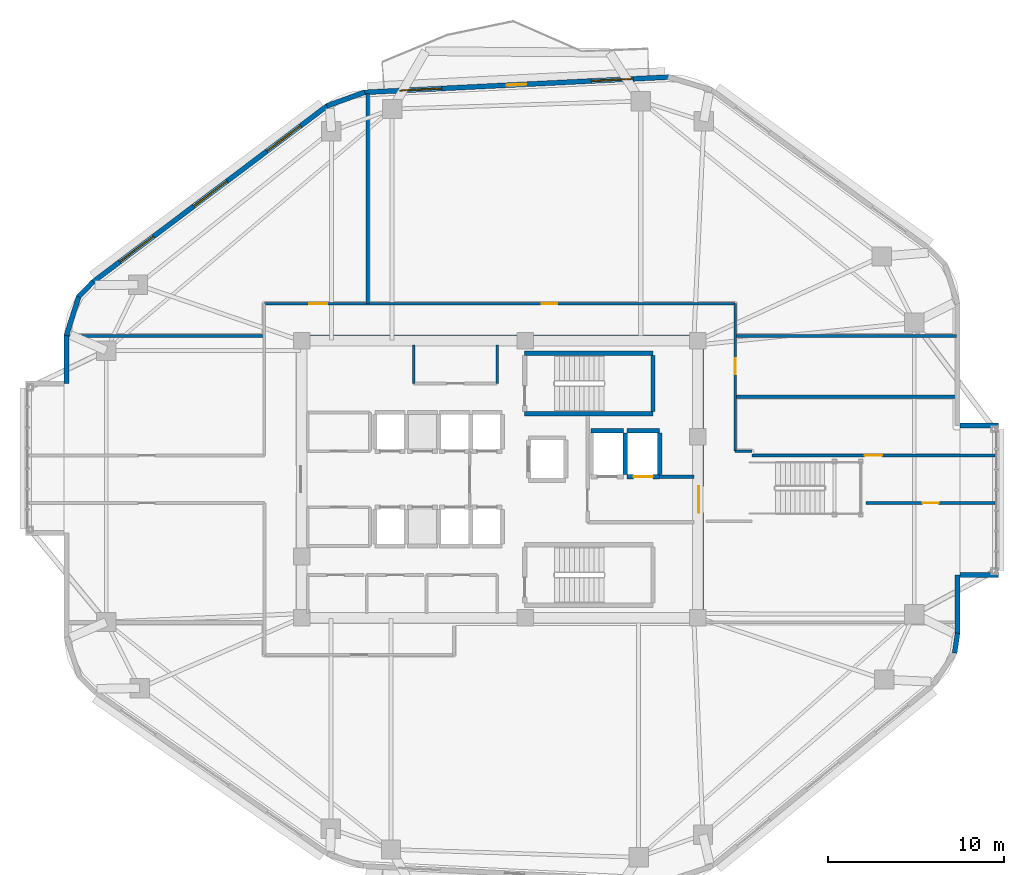
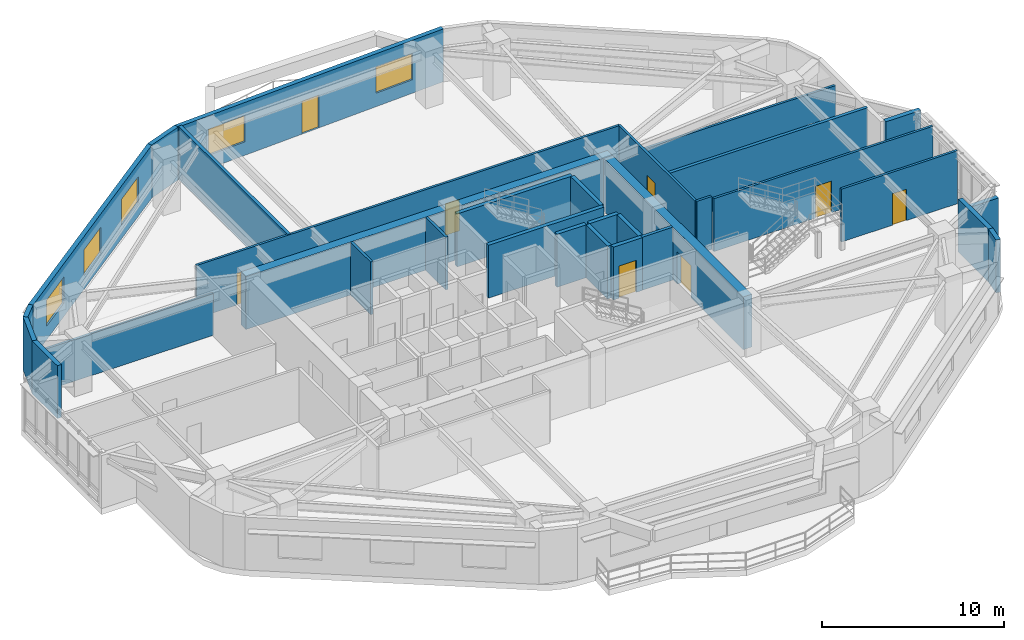
# One storey, part 11 of 16: 32 walls, 8 doors, 5 windows, 13 openings.
"""IFC4 building model written with IfcOpenShell, lengths in metres."""

from ifc_helpers import new_model, si_unit, direction, frame, frame_2d, origin, place, context, subcontext, project, spatial, rectangle, extrude, material, layer, layer_set, type_object, element, fill, save


model = new_model("IFC4")

# Units and contexts
model_context = context("Model", 3, precision=1e-05, world=origin(), true_north=direction((0.0, 1.0)))
body_context = subcontext(model_context, "Body", "Model", "MODEL_VIEW")
ifc_project = project(units=[si_unit("LENGTHUNIT", "METRE"), si_unit("AREAUNIT", "SQUARE_METRE"), si_unit("VOLUMEUNIT", "CUBIC_METRE"), si_unit("PLANEANGLEUNIT", "RADIAN"), si_unit("MASSUNIT", "GRAM", prefix="KILO")], contexts=[model_context])

# Site, building, storey
site_placement = place(None, origin())
site = spatial("IfcSite", under=ifc_project, at=site_placement, CompositionType="ELEMENT")
building_placement = place(site_placement, origin())
building = spatial("IfcBuilding", under=site, at=building_placement, Name="Zulverin Broadcast Headquarters", CompositionType="ELEMENT")
storey_placement = place(building_placement, frame((0.0, 0.0, 125.0)))
storey = spatial("IfcBuildingStorey", under=building, at=storey_placement, Name="L31", CompositionType="ELEMENT", Elevation=125.0)

# Walls
ifc_material_1 = material(Name="Acoustic drywall steel stud", Category="steel")
ifc_layer_1 = layer(ifc_material_1, 0.199951171875, Name="Acoustic drywall steel stud", Category="steel")
ifc_layer_set_1 = layer_set([ifc_layer_1], Name="Acoustic drywall steel stud")
wall_type_1 = type_object("IfcWallType", Name="WL-ACOU-200", PredefinedType="PARTITIONING", material=ifc_layer_set_1)
wall_1_placement = place(storey_placement, frame((29.5, 35.199951171875, 0.0), z_axis=(0.0, 0.0, 1.0), x_axis=(0.0, 1.0, 0.0)))
element("IfcWall", 1, at=wall_1_placement, inside=storey, type_object=wall_type_1, Name="L31 Room Partition Wall RP-03", PredefinedType="PARTITIONING", context=body_context, shape_type="SweptSolid", body=[
    extrude(rectangle(XDim=11.966796875, YDim=0.199951171875, at=frame_2d((5.9833984375, 0.0))), origin(), (0.0, 0.0, 1.0), 3.5400390625),
])
wall_2_placement = place(storey_placement, frame((50.39990234375, 29.89990234375, 0.0), z_axis=(0.0, 0.0, 1.0), x_axis=(1.0, 0.0, 0.0)))
element("IfcWall", 2, at=wall_2_placement, inside=storey, type_object=wall_type_1, Name="L31 Room Partition Wall RP-15", PredefinedType="PARTITIONING", context=body_context, shape_type="SweptSolid", body=[
    extrude(rectangle(XDim=12.59521484375, YDim=0.199951171875, at=frame_2d((6.297607421875, 0.0))), origin(), (0.0, 0.0, 1.0), 3.5400390625),
])
ifc_material_2 = material(Name="Concrete C60/75", Category="concrete")
ifc_layer_2 = layer(ifc_material_2, 0.550048828125, Name="Concrete C60/75", Category="concrete")
ifc_layer_set_2 = layer_set([ifc_layer_2], Name="Concrete C60/75")
wall_type_2 = type_object("IfcWallType", Name="WL-CORE-550", PredefinedType="SHEAR", material=ifc_layer_set_2)
wall_3_placement = place(storey_placement, frame((25.39990234375, 33.125, 0.0), z_axis=(0.0, 0.0, 1.0), x_axis=(1.0, 0.0, 0.0)))
element("IfcWall", 3, at=wall_3_placement, inside=storey, type_object=wall_type_2, Name="L31 Core North Shear Wall", PredefinedType="SHEAR", context=body_context, shape_type="SweptSolid", body=[
    extrude(rectangle(XDim=23.2001953125, YDim=0.550048828125, at=frame_2d((11.60009765625, 0.0))), origin(), (0.0, 0.0, 1.0), 3.5400390625),
])

# Wall, opening, door
wall_4_placement = place(storey_placement, frame((48.324951171875, 17.550048828125, 0.0), z_axis=(0.0, 0.0, 1.0), x_axis=(0.0, 1.0, 0.0)))
wall_4 = element("IfcWall", 4, at=wall_4_placement, inside=storey, type_object=wall_type_2, Name="L31 Core East Shear Wall", PredefinedType="SHEAR", context=body_context, shape_type="SweptSolid", body=[
    extrude(rectangle(XDim=15.300048828125, YDim=0.550048828125, at=frame_2d((7.64990234375, 0.0))), origin(), (0.0, 0.0, 1.0), 3.5400390625),
])
opening_1_placement = place(wall_4_placement, frame((5.75, 0.0, 0.0)))
opening_1 = element("IfcOpeningElement", 5, at=opening_1_placement, cuts=wall_4, Name="Opening D-L31-CE1", PredefinedType="OPENING", context=body_context, shape_type="SweptSolid", body=[
    extrude(rectangle(XDim=1.5, YDim=2.14990234375, at=frame_2d((0.75, 1.074951171875))), frame((0.0, 0.284912109375, 0.0), z_axis=(0.0, -1.0, 0.0), x_axis=(1.0, 0.0, 0.0)), (0.0, 0.0, 1.0), 0.570068359375),
])
ifc_material_3 = material(Name="Fire-rated glazed steel frame", Category="steel")
door_type_1 = type_object("IfcDoorType", Name="DR-COR-1500", OperationType="DOUBLE_DOOR_SINGLE_SWING", PredefinedType="DOOR", material=ifc_material_3)
door_1_placement = place(opening_1_placement, origin())
door_1 = element("IfcDoor", 6, at=door_1_placement, inside=storey, type_object=door_type_1, Name="L31 Firefighting Lobby East Corridor Door", OperationType="DOUBLE_DOOR_SINGLE_SWING", OverallHeight=2.14990234375, OverallWidth=1.5, PredefinedType="DOOR", context=body_context, shape_type="SweptSolid", body=[
    extrude(rectangle(XDim=1.5, YDim=2.14990234375, at=frame_2d((0.75, 1.074951171875))), frame((0.0, 0.02490234375, 0.0), z_axis=(0.0, -1.0, 0.0), x_axis=(1.0, 0.0, 0.0)), (0.0, 0.0, 1.0), 0.050048828125),
])
fill(opening_1, door_1)

# Wall
ifc_material_4 = material(Name="Insulated pale-metal clad concrete spandrel C40/50", Category="concrete")
ifc_layer_3 = layer(ifc_material_4, 0.280029296875, Name="Insulated pale-metal clad concrete spandrel C40/50", Category="concrete")
ifc_layer_set_3 = layer_set([ifc_layer_3], Name="Insulated pale-metal clad concrete spandrel C40/50")
wall_type_3 = type_object("IfcWallType", Name="WL-EXT-280", PredefinedType="STANDARD", material=ifc_layer_set_3)
wall_5_placement = place(storey_placement, frame((63.06005859375, 16.418212890625, 0.0), z_axis=(0.0, 0.0, 1.0), x_axis=(0.0, 1.0, 0.0)))
element("IfcWall", 7, at=wall_5_placement, inside=storey, type_object=wall_type_3, Name="L31 Pale-Metal Clad Flanking Spandrel Wall 3-1", PredefinedType="STANDARD", context=body_context, shape_type="SweptSolid", body=[
    extrude(rectangle(XDim=3.331787109375, YDim=0.280029296875, at=frame_2d((1.666015625, 0.0))), origin(), (0.0, 0.0, 1.0), 3.5400390625),
])

# Wall, openings, door, windows
wall_6_placement = place(storey_placement, frame((46.632080078125, 48.091064453125, 0.0), z_axis=(0.0, 0.0, 1.0), x_axis=(-0.998744129094, -0.050101542886, 0.0)))
wall_6 = element("IfcWall", 8, at=wall_6_placement, inside=storey, type_object=wall_type_3, Name="L31 Pale-Metal Clad Spandrel Wall 5", PredefinedType="STANDARD", context=body_context, shape_type="SweptSolid", body=[
    extrude(rectangle(XDim=17.381591796875, YDim=0.280029296875, at=frame_2d((8.69091796875, 0.0))), origin(), (0.0, 0.0, 1.0), 3.5400390625),
])
opening_2_placement = place(wall_6_placement, frame((8.140869140625, 0.0, 0.0)))
opening_2 = element("IfcOpeningElement", 9, at=opening_2_placement, cuts=wall_6, Name="Opening D-L31-TR5", PredefinedType="OPENING", context=body_context, shape_type="SweptSolid", body=[
    extrude(rectangle(XDim=1.10009765625, YDim=2.199951171875, at=frame_2d((0.550048828125, 1.10009765625))), frame((0.0, 0.14990234375, 0.0), z_axis=(0.0, -1.0, 0.0), x_axis=(1.0, 0.0, 0.0)), (0.0, 0.0, 1.0), 0.300048828125),
])
opening_3_placement = place(wall_6_placement, frame((2.0302734375, 0.0, 0.89990234375)))
opening_3 = element("IfcOpeningElement", 10, at=opening_3_placement, cuts=wall_6, Name="Opening W-L31-E51", PredefinedType="OPENING", context=body_context, shape_type="SweptSolid", body=[
    extrude(rectangle(XDim=2.39990234375, YDim=1.75, at=frame_2d((1.199951171875, 0.875))), frame((0.0, 0.14990234375, 0.0), z_axis=(0.0, -1.0, 0.0), x_axis=(1.0, 0.0, 0.0)), (0.0, 0.0, 1.0), 0.300048828125),
])
opening_4_placement = place(wall_6_placement, frame((12.951416015625, 0.0, 0.89990234375)))
opening_4 = element("IfcOpeningElement", 11, at=opening_4_placement, cuts=wall_6, Name="Opening W-L31-E52", PredefinedType="OPENING", context=body_context, shape_type="SweptSolid", body=[
    extrude(rectangle(XDim=2.39990234375, YDim=1.75, at=frame_2d((1.199951171875, 0.875))), frame((0.0, 0.14990234375, 0.0), z_axis=(0.0, -1.0, 0.0), x_axis=(1.0, 0.0, 0.0)), (0.0, 0.0, 1.0), 0.300048828125),
])
ifc_material_5 = material(Name="Thermally broken aluminium glazed", Category="aluminium")
door_type_2 = type_object("IfcDoorType", Name="DR-TERR-1100", OperationType="SINGLE_SWING_RIGHT", PredefinedType="DOOR", material=ifc_material_5)
door_2_placement = place(opening_2_placement, origin())
door_2 = element("IfcDoor", 12, at=door_2_placement, inside=storey, type_object=door_type_2, Name="L31 Planted Terrace Glazed Access Door 5", OperationType="SINGLE_SWING_RIGHT", OverallHeight=2.199951171875, OverallWidth=1.10009765625, PredefinedType="DOOR", context=body_context, shape_type="SweptSolid", body=[
    extrude(rectangle(XDim=1.10009765625, YDim=2.199951171875, at=frame_2d((0.550048828125, 1.10009765625))), frame((0.0, 0.02490234375, 0.0), z_axis=(0.0, -1.0, 0.0), x_axis=(1.0, 0.0, 0.0)), (0.0, 0.0, 1.0), 0.050048828125),
])
fill(opening_2, door_2)
ifc_material_6 = material(Name="Pale anodized aluminium frame with solar-control low-E double glazing", Category="aluminium")
window_type = type_object("IfcWindowType", Name="WIN-RIB-2400", PartitioningType="SINGLE_PANEL", PredefinedType="WINDOW", material=ifc_material_6)
window_1_placement = place(opening_3_placement, origin())
window_1 = element("IfcWindow", 13, at=window_1_placement, inside=storey, type_object=window_type, Name="L31 Ribbon Glazing Window 5 1", OverallHeight=1.75, OverallWidth=2.39990234375, PartitioningType="SINGLE_PANEL", PredefinedType="WINDOW", context=body_context, shape_type="SweptSolid", body=[
    extrude(rectangle(XDim=2.39990234375, YDim=1.75, at=frame_2d((1.199951171875, 0.875))), frame((0.0, 0.030029296875, 0.0), z_axis=(0.0, -1.0, 0.0), x_axis=(1.0, 0.0, 0.0)), (0.0, 0.0, 1.0), 0.06005859375),
])
fill(opening_3, window_1)
window_2_placement = place(opening_4_placement, origin())
window_2 = element("IfcWindow", 14, at=window_2_placement, inside=storey, type_object=window_type, Name="L31 Ribbon Glazing Window 5 2", OverallHeight=1.75, OverallWidth=2.39990234375, PartitioningType="SINGLE_PANEL", PredefinedType="WINDOW", context=body_context, shape_type="SweptSolid", body=[
    extrude(rectangle(XDim=2.39990234375, YDim=1.75, at=frame_2d((1.199951171875, 0.875))), frame((0.0, 0.030029296875, 0.0), z_axis=(0.0, -1.0, 0.0), x_axis=(1.0, 0.0, 0.0)), (0.0, 0.0, 1.0), 0.06005859375),
])
fill(opening_4, window_2)

# Wall, openings, windows
wall_7_placement = place(storey_placement, frame((27.201171875, 46.469970703125, 0.0), z_axis=(0.0, 0.0, 1.0), x_axis=(-0.799280853427, -0.600957666849, 0.0)))
wall_7 = element("IfcWall", 15, at=wall_7_placement, inside=storey, type_object=wall_type_3, Name="L31 Pale-Metal Clad Spandrel Wall 6", PredefinedType="STANDARD", context=body_context, shape_type="SweptSolid", body=[
    extrude(rectangle(XDim=16.716064453125, YDim=0.280029296875, at=frame_2d((8.35791015625, 0.0))), origin(), (0.0, 0.0, 1.0), 3.5400390625),
])
opening_5_placement = place(wall_7_placement, frame((1.91943359375, 0.0, 0.89990234375)))
opening_5 = element("IfcOpeningElement", 16, at=opening_5_placement, cuts=wall_7, Name="Opening W-L31-E61", PredefinedType="OPENING", context=body_context, shape_type="SweptSolid", body=[
    extrude(rectangle(XDim=2.39990234375, YDim=1.75, at=frame_2d((1.199951171875, 0.875))), frame((0.0, 0.14990234375, 0.0), z_axis=(0.0, -1.0, 0.0), x_axis=(1.0, 0.0, 0.0)), (0.0, 0.0, 1.0), 0.300048828125),
])
opening_6_placement = place(wall_7_placement, frame((7.158203125, 0.0, 0.89990234375)))
opening_6 = element("IfcOpeningElement", 17, at=opening_6_placement, cuts=wall_7, Name="Opening W-L31-E62", PredefinedType="OPENING", context=body_context, shape_type="SweptSolid", body=[
    extrude(rectangle(XDim=2.39990234375, YDim=1.75, at=frame_2d((1.199951171875, 0.875))), frame((0.0, 0.14990234375, 0.0), z_axis=(0.0, -1.0, 0.0), x_axis=(1.0, 0.0, 0.0)), (0.0, 0.0, 1.0), 0.300048828125),
])
opening_7_placement = place(wall_7_placement, frame((12.396728515625, 0.0, 0.89990234375)))
opening_7 = element("IfcOpeningElement", 18, at=opening_7_placement, cuts=wall_7, Name="Opening W-L31-E63", PredefinedType="OPENING", context=body_context, shape_type="SweptSolid", body=[
    extrude(rectangle(XDim=2.39990234375, YDim=1.75, at=frame_2d((1.199951171875, 0.875))), frame((0.0, 0.14990234375, 0.0), z_axis=(0.0, -1.0, 0.0), x_axis=(1.0, 0.0, 0.0)), (0.0, 0.0, 1.0), 0.300048828125),
])
window_3_placement = place(opening_5_placement, origin())
window_3 = element("IfcWindow", 19, at=window_3_placement, inside=storey, type_object=window_type, Name="L31 Ribbon Glazing Window 6 1", OverallHeight=1.75, OverallWidth=2.39990234375, PartitioningType="SINGLE_PANEL", PredefinedType="WINDOW", context=body_context, shape_type="SweptSolid", body=[
    extrude(rectangle(XDim=2.39990234375, YDim=1.75, at=frame_2d((1.199951171875, 0.875))), frame((0.0, 0.030029296875, 0.0), z_axis=(0.0, -1.0, 0.0), x_axis=(1.0, 0.0, 0.0)), (0.0, 0.0, 1.0), 0.06005859375),
])
fill(opening_5, window_3)
window_4_placement = place(opening_6_placement, origin())
window_4 = element("IfcWindow", 20, at=window_4_placement, inside=storey, type_object=window_type, Name="L31 Ribbon Glazing Window 6 2", OverallHeight=1.75, OverallWidth=2.39990234375, PartitioningType="SINGLE_PANEL", PredefinedType="WINDOW", context=body_context, shape_type="SweptSolid", body=[
    extrude(rectangle(XDim=2.39990234375, YDim=1.75, at=frame_2d((1.199951171875, 0.875))), frame((0.0, 0.030029296875, 0.0), z_axis=(0.0, -1.0, 0.0), x_axis=(1.0, 0.0, 0.0)), (0.0, 0.0, 1.0), 0.06005859375),
])
fill(opening_6, window_4)
window_5_placement = place(opening_7_placement, origin())
window_5 = element("IfcWindow", 21, at=window_5_placement, inside=storey, type_object=window_type, Name="L31 Ribbon Glazing Window 6 3", OverallHeight=1.75, OverallWidth=2.39990234375, PartitioningType="SINGLE_PANEL", PredefinedType="WINDOW", context=body_context, shape_type="SweptSolid", body=[
    extrude(rectangle(XDim=2.39990234375, YDim=1.75, at=frame_2d((1.199951171875, 0.875))), frame((0.0, 0.030029296875, 0.0), z_axis=(0.0, -1.0, 0.0), x_axis=(1.0, 0.0, 0.0)), (0.0, 0.0, 1.0), 0.06005859375),
])
fill(opening_7, window_5)

# Walls
wall_8_placement = place(storey_placement, frame((12.340087890625, 33.4189453125, 0.0), z_axis=(0.0, 0.0, 1.0), x_axis=(0.0, -1.0, 0.0)))
element("IfcWall", 22, at=wall_8_placement, inside=storey, type_object=wall_type_3, Name="L31 Pale-Metal Clad Flanking Spandrel Wall 7-1", PredefinedType="STANDARD", context=body_context, shape_type="SweptSolid", body=[
    extrude(rectangle(XDim=2.76904296875, YDim=0.280029296875, at=frame_2d((1.384521484375, 0.0))), origin(), (0.0, 0.0, 1.0), 3.5400390625),
])
wall_9_placement = place(storey_placement, frame((62.8935546875, 15.306884765625, 0.0), z_axis=(0.0, 0.0, 1.0), x_axis=(0.146796104284, 0.989166772474, 0.0)))
element("IfcWall", 23, at=wall_9_placement, inside=storey, type_object=wall_type_3, Name="L31 Wind-Shaped Corner Spandrel Wall 2-2", PredefinedType="STANDARD", context=body_context, shape_type="SweptSolid", body=[
    extrude(rectangle(XDim=1.144287109375, YDim=0.280029296875, at=frame_2d((0.572265625, 0.0))), origin(), (0.0, 0.0, 1.0), 3.5400390625),
])
wall_10_placement = place(storey_placement, frame((29.31298828125, 47.228271484375, 0.0), z_axis=(0.0, 0.0, 1.0), x_axis=(-0.940226330758, -0.340550212084, 0.0)))
element("IfcWall", 24, at=wall_10_placement, inside=storey, type_object=wall_type_3, Name="L31 Wind-Shaped Corner Spandrel Wall 5-1", PredefinedType="STANDARD", context=body_context, shape_type="SweptSolid", body=[
    extrude(rectangle(XDim=2.28466796875, YDim=0.280029296875, at=frame_2d((1.142333984375, 0.0))), origin(), (0.0, 0.0, 1.0), 3.5400390625),
])
wall_11_placement = place(storey_placement, frame((13.8564453125, 36.4384765625, 0.0), z_axis=(0.0, 0.0, 1.0), x_axis=(-0.697369094044, -0.716712178404, 0.0)))
element("IfcWall", 25, at=wall_11_placement, inside=storey, type_object=wall_type_3, Name="L31 Wind-Shaped Corner Spandrel Wall 6-1", PredefinedType="STANDARD", context=body_context, shape_type="SweptSolid", body=[
    extrude(rectangle(XDim=1.198974609375, YDim=0.280029296875, at=frame_2d((0.599609375, 0.0))), origin(), (0.0, 0.0, 1.0), 3.5400390625),
])
wall_12_placement = place(storey_placement, frame((13.053466796875, 35.63427734375, 0.0), z_axis=(0.0, 0.0, 1.0), x_axis=(-0.303807416298, -0.952733464198, 0.0)))
element("IfcWall", 26, at=wall_12_placement, inside=storey, type_object=wall_type_3, Name="L31 Wind-Shaped Corner Spandrel Wall 6-2", PredefinedType="STANDARD", context=body_context, shape_type="SweptSolid", body=[
    extrude(rectangle(XDim=2.369873046875, YDim=0.280029296875, at=frame_2d((1.18505859375, 0.0))), origin(), (0.0, 0.0, 1.0), 3.5400390625),
])
wall_13_placement = place(storey_placement, frame((63.199951171875, 19.75, 0.0), z_axis=(0.0, 0.0, 1.0), x_axis=(1.0, 0.0, 0.0)))
element("IfcWall", 27, at=wall_13_placement, inside=storey, type_object=wall_type_3, Name="L31 Shifted Studio Box Cheek Wall SBOX_SKY1_E-S", PredefinedType="STANDARD", context=body_context, shape_type="SweptSolid", body=[
    extrude(rectangle(XDim=2.199951171875, YDim=0.280029296875, at=frame_2d((1.10009765625, 0.0))), origin(), (0.0, 0.0, 1.0), 2.84716796875),
])
wall_14_placement = place(storey_placement, frame((63.199951171875, 28.27001953125, 0.0), z_axis=(0.0, 0.0, 1.0), x_axis=(1.0, 0.0, 0.0)))
element("IfcWall", 28, at=wall_14_placement, inside=storey, type_object=wall_type_3, Name="L31 Shifted Studio Box Cheek Wall SBOX_SKY1_E-N", PredefinedType="STANDARD", context=body_context, shape_type="SweptSolid", body=[
    extrude(rectangle(XDim=2.199951171875, YDim=0.280029296875, at=frame_2d((1.10009765625, 0.0))), origin(), (0.0, 0.0, 1.0), 3.5400390625),
])
ifc_material_7 = material(Name="Concrete C40/50", Category="concrete")
ifc_layer_4 = layer(ifc_material_7, 0.199951171875, Name="Concrete C40/50", Category="concrete")
ifc_layer_set_4 = layer_set([ifc_layer_4], Name="Concrete C40/50")
wall_type_4 = type_object("IfcWallType", Name="WL-FFL-200", PredefinedType="SOLIDWALL", material=ifc_layer_set_4)
wall_15_placement = place(storey_placement, frame((46.10009765625, 25.35009765625, 0.0), z_axis=(0.0, 0.0, 1.0), x_axis=(1.0, 0.0, 0.0)))
element("IfcWall", 29, at=wall_15_placement, inside=storey, type_object=wall_type_4, Name="L31 Firefighting Lift Lobby North Wall", PredefinedType="SOLIDWALL", context=body_context, shape_type="SweptSolid", body=[
    extrude(rectangle(XDim=1.949951171875, YDim=0.199951171875, at=frame_2d((0.97509765625, 0.0))), origin(), (0.0, 0.0, 1.0), 3.5400390625),
])
ifc_material_8 = material(Name="Fire-rated gypsum stud partition", Category="gypsum")
ifc_layer_5 = layer(ifc_material_8, 0.14990234375, Name="Fire-rated gypsum stud partition", Category="gypsum")
ifc_layer_set_5 = layer_set([ifc_layer_5], Name="Fire-rated gypsum stud partition")
wall_type_5 = type_object("IfcWallType", Name="WL-PART-150", PredefinedType="PARTITIONING", material=ifc_layer_set_5)
for number, where, z_axis, x_axis, name in (
    (30, (32.10009765625, 30.64990234375, 0.0), (0.0, 0.0, 1.0), (0.0, 1.0, 0.0), "L31 Core Accessible WC & Electrical Riser West Wall"),
    (31, (36.85009765625, 30.64990234375, 0.0), (0.0, 0.0, 1.0), (0.0, 1.0, 0.0), "L31 Core Accessible WC & Electrical Riser East Wall"),
):
    element("IfcWall", number, at=place(storey_placement, frame(where, z_axis=z_axis, x_axis=x_axis)), inside=storey, type_object=wall_type_5, Name=name, PredefinedType="PARTITIONING", context=body_context, shape_type="SweptSolid", body=[
        extrude(rectangle(XDim=2.2001953125, YDim=0.14990234375, at=frame_2d((1.10009765625, 0.0))), origin(), (0.0, 0.0, 1.0), 3.5400390625),
    ])

# Wall, opening, door
wall_16_placement = place(storey_placement, frame((50.39990234375, 26.800048828125, 0.0), z_axis=(0.0, 0.0, 1.0), x_axis=(0.0, 1.0, 0.0)))
wall_16 = element("IfcWall", 32, at=wall_16_placement, inside=storey, type_object=wall_type_5, Name="L31 Gallery Partition Wall CG-01", PredefinedType="PARTITIONING", context=body_context, shape_type="SweptSolid", body=[
    extrude(rectangle(XDim=8.39990234375, YDim=0.14990234375, at=frame_2d((4.199951171875, 0.0))), origin(), (0.0, 0.0, 1.0), 3.5400390625),
])
opening_8_placement = place(wall_16_placement, frame((4.375, 0.0, 0.0)))
opening_8 = element("IfcOpeningElement", 33, at=opening_8_placement, cuts=wall_16, Name="Opening D-L31-08", PredefinedType="OPENING", context=body_context, shape_type="SweptSolid", body=[
    extrude(rectangle(XDim=0.89990234375, YDim=2.10009765625, at=frame_2d((0.449951171875, 1.050048828125))), frame((0.0, 0.0849609375, 0.0), z_axis=(0.0, -1.0, 0.0), x_axis=(1.0, 0.0, 0.0)), (0.0, 0.0, 1.0), 0.169921875),
])
ifc_material_9 = material(Name="Fire-rated hardwood veneer timber leaf", Category="wood")
door_type_3 = type_object("IfcDoorType", Name="DR-ROOM-900", OperationType="SINGLE_SWING_RIGHT", PredefinedType="DOOR", material=ifc_material_9)
door_3_placement = place(opening_8_placement, origin())
door_3 = element("IfcDoor", 34, at=door_3_placement, inside=storey, type_object=door_type_3, Name="L31 Press Conference Room Door", OperationType="SINGLE_SWING_LEFT", OverallHeight=2.10009765625, OverallWidth=0.89990234375, PredefinedType="DOOR", context=body_context, shape_type="SweptSolid", body=[
    extrude(rectangle(XDim=0.89990234375, YDim=2.10009765625, at=frame_2d((0.449951171875, 1.050048828125))), frame((0.0, 0.02490234375, 0.0), z_axis=(0.0, -1.0, 0.0), x_axis=(1.0, 0.0, 0.0)), (0.0, 0.0, 1.0), 0.050048828125),
])
fill(opening_8, door_3)

wall_17_placement = place(storey_placement, frame((57.860107421875, 23.85009765625, 0.0), z_axis=(0.0, 0.0, 1.0), x_axis=(1.0, 0.0, 0.0)))
wall_17 = element("IfcWall", 35, at=wall_17_placement, inside=storey, type_object=wall_type_5, Name="L31 Gallery Partition Wall CG-11", PredefinedType="PARTITIONING", context=body_context, shape_type="SweptSolid", body=[
    extrude(rectangle(XDim=7.3349609375, YDim=0.14990234375, at=frame_2d((3.66748046875, 0.0))), origin(), (0.0, 0.0, 1.0), 3.5400390625),
])
opening_9_placement = place(wall_17_placement, frame((3.217529296875, 0.0, 0.0)))
opening_9 = element("IfcOpeningElement", 36, at=opening_9_placement, cuts=wall_17, Name="Opening D-L31-06", PredefinedType="OPENING", context=body_context, shape_type="SweptSolid", body=[
    extrude(rectangle(XDim=0.89990234375, YDim=2.10009765625, at=frame_2d((0.449951171875, 1.050048828125))), frame((0.0, 0.0849609375, 0.0), z_axis=(0.0, -1.0, 0.0), x_axis=(1.0, 0.0, 0.0)), (0.0, 0.0, 1.0), 0.169921875),
])
door_4_placement = place(opening_9_placement, origin())
door_4 = element("IfcDoor", 37, at=door_4_placement, inside=storey, type_object=door_type_3, Name="L31 Transfer Concierge Foyer Door", OperationType="SINGLE_SWING_LEFT", OverallHeight=2.10009765625, OverallWidth=0.89990234375, PredefinedType="DOOR", context=body_context, shape_type="SweptSolid", body=[
    extrude(rectangle(XDim=0.89990234375, YDim=2.10009765625, at=frame_2d((0.449951171875, 1.050048828125))), frame((0.0, 0.02490234375, 0.0), z_axis=(0.0, -1.0, 0.0), x_axis=(1.0, 0.0, 0.0)), (0.0, 0.0, 1.0), 0.050048828125),
])
fill(opening_9, door_4)

wall_18_placement = place(storey_placement, frame((51.35009765625, 26.550048828125, 0.0), z_axis=(0.0, 0.0, 1.0), x_axis=(1.0, 0.0, 0.0)))
wall_18 = element("IfcWall", 38, at=wall_18_placement, inside=storey, type_object=wall_type_5, Name="L31 Gallery Partition Wall CG-13", PredefinedType="PARTITIONING", context=body_context, shape_type="SweptSolid", body=[
    extrude(rectangle(XDim=13.844970703125, YDim=0.14990234375, at=frame_2d((6.92236328125, 0.0))), origin(), (0.0, 0.0, 1.0), 3.5400390625),
])
opening_10_placement = place(wall_18_placement, frame((6.422607421875, 0.0, 0.0)))
opening_10 = element("IfcOpeningElement", 39, at=opening_10_placement, cuts=wall_18, Name="Opening D-L31-07", PredefinedType="OPENING", context=body_context, shape_type="SweptSolid", body=[
    extrude(rectangle(XDim=1.0, YDim=2.1201171875, at=frame_2d((0.5, 1.06005859375))), frame((0.0, 0.0849609375, 0.0), z_axis=(0.0, -1.0, 0.0), x_axis=(1.0, 0.0, 0.0)), (0.0, 0.0, 1.0), 0.169921875),
])
ifc_material_10 = material(Name="Hardwood veneer acoustic leaf", Category="wood")
door_type_4 = type_object("IfcDoorType", Name="DR-OFF-1000", OperationType="SINGLE_SWING_LEFT", PredefinedType="DOOR", material=ifc_material_10)
door_5_placement = place(opening_10_placement, origin())
door_5 = element("IfcDoor", 40, at=door_5_placement, inside=storey, type_object=door_type_4, Name="L31 Open Media Workplace Door", OperationType="SINGLE_SWING_RIGHT", OverallHeight=2.1201171875, OverallWidth=1.0, PredefinedType="DOOR", context=body_context, shape_type="SweptSolid", body=[
    extrude(rectangle(XDim=1.0, YDim=2.1201171875, at=frame_2d((0.5, 1.06005859375))), frame((0.0, 0.02490234375, 0.0), z_axis=(0.0, -1.0, 0.0), x_axis=(1.0, 0.0, 0.0)), (0.0, 0.0, 1.0), 0.050048828125),
])
fill(opening_10, door_5)

# Walls
wall_19_placement = place(storey_placement, frame((50.39990234375, 26.800048828125, 0.0), z_axis=(0.0, 0.0, 1.0), x_axis=(1.0, 0.0, 0.0)))
element("IfcWall", 41, at=wall_19_placement, inside=storey, type_object=wall_type_5, Name="L31 Gallery Partition Wall CG-14", PredefinedType="PARTITIONING", context=body_context, shape_type="SweptSolid", body=[
    extrude(rectangle(XDim=0.9501953125, YDim=0.14990234375, at=frame_2d((0.47509765625, 0.0))), origin(), (0.0, 0.0, 1.0), 3.5400390625),
])
wall_20_placement = place(storey_placement, frame((12.405029296875, 33.35009765625, 0.0), z_axis=(0.0, 0.0, 1.0), x_axis=(1.0, 0.0, 0.0)))
element("IfcWall", 42, at=wall_20_placement, inside=storey, type_object=wall_type_5, Name="L31 Room Partition Wall RP-16", PredefinedType="PARTITIONING", context=body_context, shape_type="SweptSolid", body=[
    extrude(rectangle(XDim=11.195068359375, YDim=0.14990234375, at=frame_2d((5.59765625, 0.0))), origin(), (0.0, 0.0, 1.0), 2.7900390625),
])
wall_21_placement = place(storey_placement, frame((50.39990234375, 33.35009765625, 0.0), z_axis=(0.0, 0.0, 1.0), x_axis=(1.0, 0.0, 0.0)))
element("IfcWall", 43, at=wall_21_placement, inside=storey, type_object=wall_type_5, Name="L31 Room Partition Wall RP-17", PredefinedType="PARTITIONING", context=body_context, shape_type="SweptSolid", body=[
    extrude(rectangle(XDim=12.59521484375, YDim=0.14990234375, at=frame_2d((6.297607421875, 0.0))), origin(), (0.0, 0.0, 1.0), 2.9228515625),
])

# Wall, openings, doors
wall_22_placement = place(storey_placement, frame((23.60009765625, 35.199951171875, 0.0), z_axis=(0.0, 0.0, 1.0), x_axis=(1.0, 0.0, 0.0)))
wall_22 = element("IfcWall", 44, at=wall_22_placement, inside=storey, type_object=wall_type_5, Name="L31 Gallery Partition Wall CG-18", PredefinedType="PARTITIONING", context=body_context, shape_type="SweptSolid", body=[
    extrude(rectangle(XDim=26.7998046875, YDim=0.14990234375, at=frame_2d((13.39990234375, 0.0))), origin(), (0.0, 0.0, 1.0), 3.5400390625),
])
opening_11_placement = place(wall_22_placement, frame((2.570068359375, 0.0, 0.0)))
opening_11 = element("IfcOpeningElement", 45, at=opening_11_placement, cuts=wall_22, Name="Opening D-L31-01", PredefinedType="OPENING", context=body_context, shape_type="SweptSolid", body=[
    extrude(rectangle(XDim=1.0, YDim=2.1201171875, at=frame_2d((0.5, 1.06005859375))), frame((0.0, 0.0849609375, 0.0), z_axis=(0.0, -1.0, 0.0), x_axis=(1.0, 0.0, 0.0)), (0.0, 0.0, 1.0), 0.169921875),
])
opening_12_placement = place(wall_22_placement, frame((15.780029296875, 0.0, 0.0)))
opening_12 = element("IfcOpeningElement", 46, at=opening_12_placement, cuts=wall_22, Name="Opening D-L31-02", PredefinedType="OPENING", context=body_context, shape_type="SweptSolid", body=[
    extrude(rectangle(XDim=0.89990234375, YDim=2.10009765625, at=frame_2d((0.449951171875, 1.050048828125))), frame((0.0, 0.0849609375, 0.0), z_axis=(0.0, -1.0, 0.0), x_axis=(1.0, 0.0, 0.0)), (0.0, 0.0, 1.0), 0.169921875),
])
door_6_placement = place(opening_11_placement, origin())
door_6 = element("IfcDoor", 47, at=door_6_placement, inside=storey, type_object=door_type_4, Name="L31 Open Media Workplace Door", OperationType="SINGLE_SWING_RIGHT", OverallHeight=2.1201171875, OverallWidth=1.0, PredefinedType="DOOR", context=body_context, shape_type="SweptSolid", body=[
    extrude(rectangle(XDim=1.0, YDim=2.1201171875, at=frame_2d((0.5, 1.06005859375))), frame((0.0, 0.02490234375, 0.0), z_axis=(0.0, -1.0, 0.0), x_axis=(1.0, 0.0, 0.0)), (0.0, 0.0, 1.0), 0.050048828125),
])
fill(opening_11, door_6)
door_7_placement = place(opening_12_placement, origin())
door_7 = element("IfcDoor", 48, at=door_7_placement, inside=storey, type_object=door_type_3, Name="L31 Press Conference Room Door", OperationType="SINGLE_SWING_LEFT", OverallHeight=2.10009765625, OverallWidth=0.89990234375, PredefinedType="DOOR", context=body_context, shape_type="SweptSolid", body=[
    extrude(rectangle(XDim=0.89990234375, YDim=2.10009765625, at=frame_2d((0.449951171875, 1.050048828125))), frame((0.0, 0.02490234375, 0.0), z_axis=(0.0, -1.0, 0.0), x_axis=(1.0, 0.0, 0.0)), (0.0, 0.0, 1.0), 0.050048828125),
])
fill(opening_12, door_7)

# Walls
ifc_material_11 = material(Name="Concrete C50/60", Category="concrete")
ifc_layer_6 = layer(ifc_material_11, 0.25, Name="Concrete C50/60", Category="concrete")
ifc_layer_set_6 = layer_set([ifc_layer_6], Name="Concrete C50/60")
wall_type_6 = type_object("IfcWallType", Name="WL-SHAFT-250", PredefinedType="SHEAR", material=ifc_layer_set_6)
for number, where, z_axis, x_axis, name in (
    (49, (38.425048828125, 28.925048828125, 0.0), (0.0, 0.0, 1.0), (1.0, 0.0, 0.0), "L31 ST-1 Enclosure Wall S"),
    (50, (38.425048828125, 32.375, 0.0), (0.0, 0.0, 1.0), (1.0, 0.0, 0.0), "L31 ST-1 Enclosure Wall N"),
):
    element("IfcWall", number, at=place(storey_placement, frame(where, z_axis=z_axis, x_axis=x_axis)), inside=storey, type_object=wall_type_6, Name=name, PredefinedType="SHEAR", context=body_context, shape_type="SweptSolid", body=[
        extrude(rectangle(XDim=7.300048828125, YDim=0.25, at=frame_2d((3.64990234375, 0.0))), origin(), (0.0, 0.0, 1.0), 3.5400390625),
    ])
wall_23_placement = place(storey_placement, frame((45.72509765625, 29.050048828125, 0.0), z_axis=(0.0, 0.0, 1.0), x_axis=(0.0, 1.0, 0.0)))
element("IfcWall", 51, at=wall_23_placement, inside=storey, type_object=wall_type_6, Name="L31 ST-1 Enclosure Wall E", PredefinedType="SHEAR", context=body_context, shape_type="SweptSolid", body=[
    extrude(rectangle(XDim=3.199951171875, YDim=0.25, at=frame_2d((1.60009765625, 0.0))), origin(), (0.0, 0.0, 1.0), 3.5400390625),
])
wall_24_placement = place(storey_placement, frame((42.199951171875, 27.949951171875, 0.0), z_axis=(0.0, 0.0, 1.0), x_axis=(1.0, 0.0, 0.0)))
element("IfcWall", 52, at=wall_24_placement, inside=storey, type_object=wall_type_6, Name="L31 Lift FFL-1 Shaft Wall N", PredefinedType="SHEAR", context=body_context, shape_type="SweptSolid", body=[
    extrude(rectangle(XDim=1.85009765625, YDim=0.25, at=frame_2d((0.925048828125, 0.0))), origin(), (0.0, 0.0, 1.0), 3.5400390625),
])
wall_25_placement = place(storey_placement, frame((44.14990234375, 25.469970703125, 0.0), z_axis=(0.0, 0.0, 1.0), x_axis=(0.0, 1.0, 0.0)))
element("IfcWall", 53, at=wall_25_placement, inside=storey, type_object=wall_type_6, Name="L31 Lift FFL-1 Shaft Wall E", PredefinedType="SHEAR", context=body_context, shape_type="SweptSolid", body=[
    extrude(rectangle(XDim=2.360107421875, YDim=0.25, at=frame_2d((1.18017578125, 0.0))), origin(), (0.0, 0.0, 1.0), 3.5400390625),
])

# Wall, opening, door
wall_26_placement = place(storey_placement, frame((44.25, 25.35009765625, 0.0), z_axis=(0.0, 0.0, 1.0), x_axis=(1.0, 0.0, 0.0)))
wall_26 = element("IfcWall", 54, at=wall_26_placement, inside=storey, type_object=wall_type_6, Name="L31 Lift FFL-2 Shaft Wall S", PredefinedType="SHEAR", context=body_context, shape_type="SweptSolid", body=[
    extrude(rectangle(XDim=1.85009765625, YDim=0.25, at=frame_2d((0.925048828125, 0.0))), origin(), (0.0, 0.0, 1.0), 3.5400390625),
])
opening_13_placement = place(wall_26_placement, frame((0.375, 0.0, 0.0)))
opening_13 = element("IfcOpeningElement", 55, at=opening_13_placement, cuts=wall_26, Name="Opening LD-FFL-2-L31", PredefinedType="OPENING", context=body_context, shape_type="SweptSolid", body=[
    extrude(rectangle(XDim=1.10009765625, YDim=2.14990234375, at=frame_2d((0.550048828125, 1.074951171875))), frame((0.0, 0.135009765625, 0.0), z_axis=(0.0, -1.0, 0.0), x_axis=(1.0, 0.0, 0.0)), (0.0, 0.0, 1.0), 0.27001953125),
])
ifc_material_12 = material(Name="Fire-rated stainless landing door", Category="steel")
door_type_5 = type_object("IfcDoorType", Name="LD-FFL-1100", OperationType="DOUBLE_DOOR_SLIDING", PredefinedType="DOOR", material=ifc_material_12)
door_8_placement = place(opening_13_placement, origin())
door_8 = element("IfcDoor", 56, at=door_8_placement, inside=storey, type_object=door_type_5, Name="L31 Lift FFL-2 Sliding Landing Door", OperationType="DOUBLE_DOOR_SLIDING", OverallHeight=2.14990234375, OverallWidth=1.10009765625, PredefinedType="DOOR", context=body_context, shape_type="SweptSolid", body=[
    extrude(rectangle(XDim=1.10009765625, YDim=2.14990234375, at=frame_2d((0.550048828125, 1.074951171875))), frame((0.0, 0.02490234375, 0.0), z_axis=(0.0, -1.0, 0.0), x_axis=(1.0, 0.0, 0.0)), (0.0, 0.0, 1.0), 0.050048828125),
])
fill(opening_13, door_8)

# Walls
wall_27_placement = place(storey_placement, frame((44.25, 27.949951171875, 0.0), z_axis=(0.0, 0.0, 1.0), x_axis=(1.0, 0.0, 0.0)))
element("IfcWall", 57, at=wall_27_placement, inside=storey, type_object=wall_type_6, Name="L31 Lift FFL-2 Shaft Wall N", PredefinedType="SHEAR", context=body_context, shape_type="SweptSolid", body=[
    extrude(rectangle(XDim=1.85009765625, YDim=0.25, at=frame_2d((0.925048828125, 0.0))), origin(), (0.0, 0.0, 1.0), 3.5400390625),
])
wall_28_placement = place(storey_placement, frame((46.10009765625, 25.469970703125, 0.0), z_axis=(0.0, 0.0, 1.0), x_axis=(0.0, 1.0, 0.0)))
element("IfcWall", 58, at=wall_28_placement, inside=storey, type_object=wall_type_6, Name="L31 Lift FFL-2 Shaft Wall E", PredefinedType="SHEAR", context=body_context, shape_type="SweptSolid", body=[
    extrude(rectangle(XDim=2.360107421875, YDim=0.25, at=frame_2d((1.18017578125, 0.0))), origin(), (0.0, 0.0, 1.0), 3.5400390625),
])

save(model, "model.ifc")
